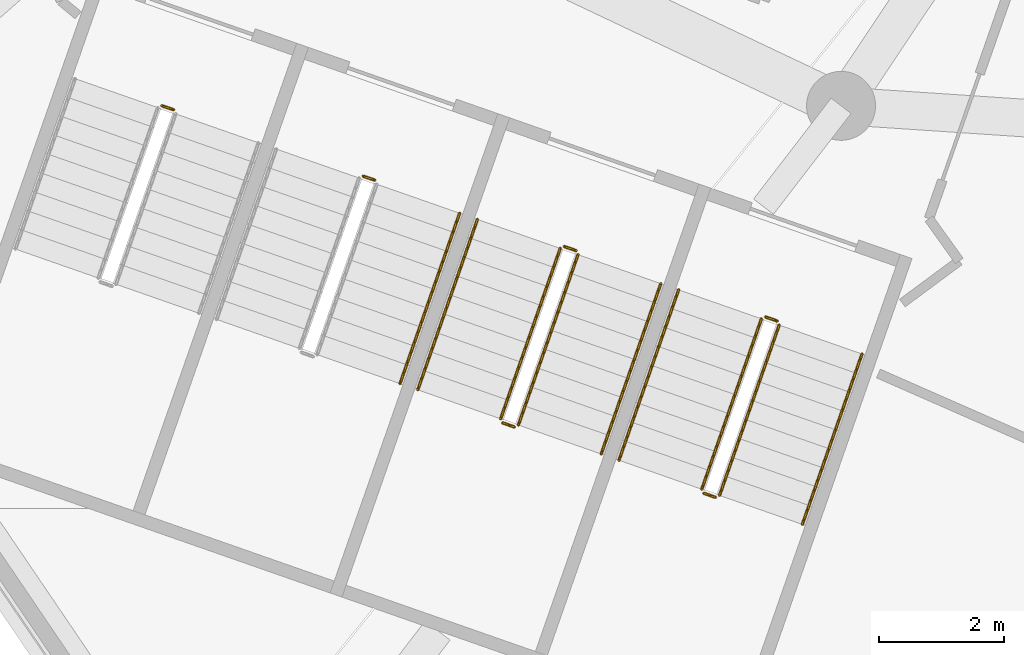
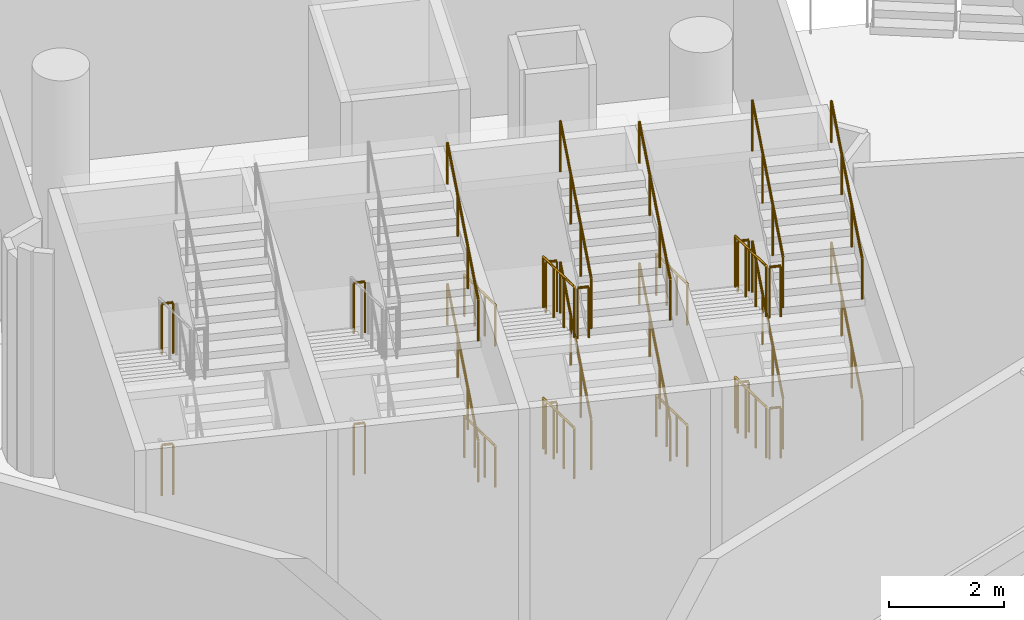
# One storey, part 109 of 173: 29 railings.
"""IFC4 building model written with IfcOpenShell, lengths in metres."""

from ifc_helpers import new_model, si_unit, direction, frame, origin, origin_2d, place, context, subcontext, project, spatial, circle, extrude, material, type_object, element, save


model = new_model("IFC4")

# Units and contexts
model_context = context("Model", 3, precision=1e-05, world=origin(), true_north=direction((0.0, 1.0)))
body_context = subcontext(model_context, "Body", "Model", "MODEL_VIEW")
ifc_project = project(units=[si_unit("LENGTHUNIT", "METRE"), si_unit("AREAUNIT", "SQUARE_METRE"), si_unit("VOLUMEUNIT", "CUBIC_METRE"), si_unit("PLANEANGLEUNIT", "RADIAN"), si_unit("MASSUNIT", "GRAM", prefix="KILO")], contexts=[model_context])

# Site, building, storey
site_placement = place(None, origin())
site = spatial("IfcSite", under=ifc_project, at=site_placement, CompositionType="ELEMENT")
building_placement = place(site_placement, origin())
building = spatial("IfcBuilding", under=site, at=building_placement, Name="Meseta Stadium", CompositionType="ELEMENT")
storey_placement = place(building_placement, frame((0.0, 0.0, 18.0)))
storey = spatial("IfcBuildingStorey", under=building, at=storey_placement, Name="L03", CompositionType="ELEMENT", Elevation=18.0)

# Railings
ifc_material_1 = material(Name="Steel S355", Category="steel")
railing_type_1 = type_object("IfcRailingType", Name="Stair guard 1100", PredefinedType="GUARDRAIL", material=ifc_material_1)
for number, where, name in (
    (1, (-65.35791015625, -89.577392578125, 3.0), "ST85 L03 guard 4"),
    (2, (-65.35791015625, -89.577392578125, 0.0), "ST85 L03 guard 8"),
):
    element("IfcRailing", number, at=place(storey_placement, frame(where)), inside=storey, type_object=railing_type_1, Name=name, PredefinedType="GUARDRAIL", context=body_context, shape_type="SweptSolid", body=[
        extrude(circle(Radius=0.02392578125, at=origin_2d()), frame((0.0, 0.0, 1.076171875), z_axis=(0.943686935281, -0.330839792317, 0.0), x_axis=(0.330839792317, 0.943686935281, 0.0)), (0.0, 0.0, 1.0), 0.199951171875),
        extrude(circle(Radius=0.02099609375, at=origin_2d()), origin(), (0.0, 0.0, 1.0), 1.052001953125),
        extrude(circle(Radius=0.02099609375, at=origin_2d()), frame((0.188720703125, -0.066162109375, 0.0)), (0.0, 0.0, 1.0), 1.052001953125),
    ])
for number, where, name in (
    (3, (-62.148681640625, -90.700439453125, 3.0), "ST86 L03 guard 4"),
    (4, (-62.148681640625, -90.700439453125, 0.0), "ST86 L03 guard 8"),
):
    element("IfcRailing", number, at=place(storey_placement, frame(where)), inside=storey, type_object=railing_type_1, Name=name, PredefinedType="GUARDRAIL", context=body_context, shape_type="SweptSolid", body=[
        extrude(circle(Radius=0.02392578125, at=origin_2d()), frame((0.0, 0.0, 1.076171875), z_axis=(0.944067610699, -0.329751946816, 0.0), x_axis=(0.329751946816, 0.944067610699, 0.0)), (0.0, 0.0, 1.0), 0.199951171875),
        extrude(circle(Radius=0.02099609375, at=origin_2d()), origin(), (0.0, 0.0, 1.0), 1.052001953125),
        extrude(circle(Radius=0.02099609375, at=origin_2d()), frame((0.188720703125, -0.06591796875, 0.0)), (0.0, 0.0, 1.0), 1.052001953125),
    ])
railing_1_placement = place(storey_placement, frame((-59.003173828125, -91.85400390625, 0.14990234375)))
element("IfcRailing", 5, at=railing_1_placement, inside=storey, type_object=railing_type_1, Name="ST87 L03 guard 1", PredefinedType="GUARDRAIL", context=body_context, shape_type="SweptSolid", body=[
    extrude(circle(Radius=0.02392578125, at=origin_2d()), frame((0.0, 0.0, 1.076171875), z_axis=(-0.299031328765, -0.854649344405, 0.42444641891), x_axis=(0.943891390388, -0.330256026668, 0.0)), (0.0, 0.0, 1.0), 3.180908203125),
    extrude(circle(Radius=0.02099609375, at=origin_2d()), origin(), (0.0, 0.0, 1.0), 1.052001953125),
    extrude(circle(Radius=0.02099609375, at=origin_2d()), frame((-0.317138671875, -0.90625, 0.449951171875)), (0.0, 0.0, 1.0), 1.052001953125),
    extrude(circle(Radius=0.02099609375, at=origin_2d()), frame((-0.634033203125, -1.812255859375, 0.900146484375)), (0.0, 0.0, 1.0), 1.052001953125),
    extrude(circle(Radius=0.02099609375, at=origin_2d()), frame((-0.951171875, -2.718505859375, 1.35009765625)), (0.0, 0.0, 1.0), 1.052001953125),
])
railing_2_placement = place(storey_placement, frame((-59.671142578125, -94.67138671875, 1.64990234375)))
element("IfcRailing", 6, at=railing_2_placement, inside=storey, type_object=railing_type_1, Name="ST87 L03 guard 3", PredefinedType="GUARDRAIL", context=body_context, shape_type="SweptSolid", body=[
    extrude(circle(Radius=0.02392578125, at=origin_2d()), frame((0.0, 0.0, 1.076171875), z_axis=(0.299050945451, 0.854628651604, 0.424474262922), x_axis=(-0.943882143717, 0.33028245302, 0.0)), (0.0, 0.0, 1.0), 3.1806640625),
    extrude(circle(Radius=0.02099609375, at=origin_2d()), origin(), (0.0, 0.0, 1.0), 1.052001953125),
    extrude(circle(Radius=0.02099609375, at=origin_2d()), frame((0.317138671875, 0.906005859375, 0.449951171875)), (0.0, 0.0, 1.0), 1.052001953125),
    extrude(circle(Radius=0.02099609375, at=origin_2d()), frame((0.634033203125, 1.812255859375, 0.900146484375)), (0.0, 0.0, 1.0), 1.052001953125),
    extrude(circle(Radius=0.02099609375, at=origin_2d()), frame((0.951171875, 2.71826171875, 1.35009765625)), (0.0, 0.0, 1.0), 1.052001953125),
])
railing_3_placement = place(storey_placement, frame((-58.939453125, -91.8232421875, 3.0)))
element("IfcRailing", 7, at=railing_3_placement, inside=storey, type_object=railing_type_1, Name="ST87 L03 guard 4", PredefinedType="GUARDRAIL", context=body_context, shape_type="SweptSolid", body=[
    extrude(circle(Radius=0.02392578125, at=origin_2d()), frame((0.0, 0.0, 1.076171875), z_axis=(0.943686935281, -0.330839792317, 0.0), x_axis=(0.330839792317, 0.943686935281, 0.0)), (0.0, 0.0, 1.0), 0.199951171875),
    extrude(circle(Radius=0.02099609375, at=origin_2d()), origin(), (0.0, 0.0, 1.0), 1.052001953125),
    extrude(circle(Radius=0.02099609375, at=origin_2d()), frame((0.188720703125, -0.066162109375, 0.0)), (0.0, 0.0, 1.0), 1.052001953125),
])
railing_4_placement = place(storey_placement, frame((-59.003173828125, -91.85400390625, 3.14990234375)))
element("IfcRailing", 8, at=railing_4_placement, inside=storey, type_object=railing_type_1, Name="ST87 L03 guard 5", PredefinedType="GUARDRAIL", context=body_context, shape_type="SweptSolid", body=[
    extrude(circle(Radius=0.02392578125, at=origin_2d()), frame((0.0, 0.0, 1.076171875), z_axis=(-0.299031328765, -0.854649344405, 0.42444641891), x_axis=(0.943891390388, -0.330256026668, 0.0)), (0.0, 0.0, 1.0), 3.180908203125),
    extrude(circle(Radius=0.02099609375, at=origin_2d()), origin(), (0.0, 0.0, 1.0), 1.052001953125),
    extrude(circle(Radius=0.02099609375, at=origin_2d()), frame((-0.317138671875, -0.90625, 0.449951171875)), (0.0, 0.0, 1.0), 1.052001953125),
    extrude(circle(Radius=0.02099609375, at=origin_2d()), frame((-0.634033203125, -1.812255859375, 0.900146484375)), (0.0, 0.0, 1.0), 1.052001953125),
    extrude(circle(Radius=0.02099609375, at=origin_2d()), frame((-0.951171875, -2.718505859375, 1.35009765625)), (0.0, 0.0, 1.0), 1.052001953125),
])
railing_5_placement = place(storey_placement, frame((-59.923828125, -94.63623046875, 4.5)))
element("IfcRailing", 9, at=railing_5_placement, inside=storey, type_object=railing_type_1, Name="ST87 L03 guard 6", PredefinedType="GUARDRAIL", context=body_context, shape_type="SweptSolid", body=[
    extrude(circle(Radius=0.02392578125, at=origin_2d()), frame((0.0, 0.0, 1.076171875), z_axis=(0.944200181446, -0.329372156318, 0.0), x_axis=(0.329372156318, 0.944200181446, 0.0)), (0.0, 0.0, 1.0), 0.2001953125),
    extrude(circle(Radius=0.02099609375, at=origin_2d()), origin(), (0.0, 0.0, 1.0), 1.052001953125),
    extrude(circle(Radius=0.02099609375, at=origin_2d()), frame((0.18896484375, -0.06591796875, 0.0)), (0.0, 0.0, 1.0), 1.052001953125),
])
railing_6_placement = place(storey_placement, frame((-59.671142578125, -94.67138671875, 4.64990234375)))
element("IfcRailing", 10, at=railing_6_placement, inside=storey, type_object=railing_type_1, Name="ST87 L03 guard 7", PredefinedType="GUARDRAIL", context=body_context, shape_type="SweptSolid", body=[
    extrude(circle(Radius=0.02392578125, at=origin_2d()), frame((0.0, 0.0, 1.076171875), z_axis=(0.299050945451, 0.854628651604, 0.424474262922), x_axis=(-0.943882143717, 0.33028245302, 0.0)), (0.0, 0.0, 1.0), 3.1806640625),
    extrude(circle(Radius=0.02099609375, at=origin_2d()), origin(), (0.0, 0.0, 1.0), 1.052001953125),
    extrude(circle(Radius=0.02099609375, at=origin_2d()), frame((0.317138671875, 0.906005859375, 0.449951171875)), (0.0, 0.0, 1.0), 1.052001953125),
    extrude(circle(Radius=0.02099609375, at=origin_2d()), frame((0.634033203125, 1.812255859375, 0.900146484375)), (0.0, 0.0, 1.0), 1.052001953125),
    extrude(circle(Radius=0.02099609375, at=origin_2d()), frame((0.951171875, 2.71826171875, 1.35009765625)), (0.0, 0.0, 1.0), 1.052001953125),
])
railing_7_placement = place(storey_placement, frame((-58.939453125, -91.8232421875, 0.0)))
element("IfcRailing", 11, at=railing_7_placement, inside=storey, type_object=railing_type_1, Name="ST87 L03 guard 8", PredefinedType="GUARDRAIL", context=body_context, shape_type="SweptSolid", body=[
    extrude(circle(Radius=0.02392578125, at=origin_2d()), frame((0.0, 0.0, 1.076171875), z_axis=(0.943686935281, -0.330839792317, 0.0), x_axis=(0.330839792317, 0.943686935281, 0.0)), (0.0, 0.0, 1.0), 0.199951171875),
    extrude(circle(Radius=0.02099609375, at=origin_2d()), origin(), (0.0, 0.0, 1.0), 1.052001953125),
    extrude(circle(Radius=0.02099609375, at=origin_2d()), frame((0.188720703125, -0.066162109375, 0.0)), (0.0, 0.0, 1.0), 1.052001953125),
])
railing_8_placement = place(storey_placement, frame((-55.7939453125, -92.97705078125, 0.14990234375)))
element("IfcRailing", 12, at=railing_8_placement, inside=storey, type_object=railing_type_1, Name="ST88 L03 guard 1", PredefinedType="GUARDRAIL", context=body_context, shape_type="SweptSolid", body=[
    extrude(circle(Radius=0.02392578125, at=origin_2d()), frame((0.0, 0.0, 1.076171875), z_axis=(-0.299050945451, -0.854628651604, 0.424474262922), x_axis=(0.943882143717, -0.33028245302, 0.0)), (0.0, 0.0, 1.0), 3.1806640625),
    extrude(circle(Radius=0.02099609375, at=origin_2d()), origin(), (0.0, 0.0, 1.0), 1.052001953125),
    extrude(circle(Radius=0.02099609375, at=origin_2d()), frame((-0.317138671875, -0.906005859375, 0.449951171875)), (0.0, 0.0, 1.0), 1.052001953125),
    extrude(circle(Radius=0.02099609375, at=origin_2d()), frame((-0.634033203125, -1.812255859375, 0.900146484375)), (0.0, 0.0, 1.0), 1.052001953125),
    extrude(circle(Radius=0.02099609375, at=origin_2d()), frame((-0.951171875, -2.71826171875, 1.35009765625)), (0.0, 0.0, 1.0), 1.052001953125),
])
railing_9_placement = place(storey_placement, frame((-56.714599609375, -95.759033203125, 1.5)))
element("IfcRailing", 13, at=railing_9_placement, inside=storey, type_object=railing_type_1, Name="ST88 L03 guard 2", PredefinedType="GUARDRAIL", context=body_context, shape_type="SweptSolid", body=[
    extrude(circle(Radius=0.02392578125, at=origin_2d()), frame((0.0, 0.0, 1.076171875), z_axis=(0.943820328543, -0.330459055601, 0.0), x_axis=(0.330459055601, 0.943820328543, 0.0)), (0.0, 0.0, 1.0), 0.2001953125),
    extrude(circle(Radius=0.02099609375, at=origin_2d()), origin(), (0.0, 0.0, 1.0), 1.052001953125),
    extrude(circle(Radius=0.02099609375, at=origin_2d()), frame((0.18896484375, -0.066162109375, 0.0)), (0.0, 0.0, 1.0), 1.052001953125),
])
railing_10_placement = place(storey_placement, frame((-56.462158203125, -95.79443359375, 1.64990234375)))
element("IfcRailing", 14, at=railing_10_placement, inside=storey, type_object=railing_type_1, Name="ST88 L03 guard 3", PredefinedType="GUARDRAIL", context=body_context, shape_type="SweptSolid", body=[
    extrude(circle(Radius=0.02392578125, at=origin_2d()), frame((0.0, 0.0, 1.076171875), z_axis=(0.299120836879, 0.854609032027, 0.424464518332), x_axis=(-0.943855713099, 0.330357976823, 0.0)), (0.0, 0.0, 1.0), 3.1806640625),
    extrude(circle(Radius=0.02099609375, at=origin_2d()), origin(), (0.0, 0.0, 1.0), 1.052001953125),
    extrude(circle(Radius=0.02099609375, at=origin_2d()), frame((0.317138671875, 0.906005859375, 0.449951171875)), (0.0, 0.0, 1.0), 1.052001953125),
    extrude(circle(Radius=0.02099609375, at=origin_2d()), frame((0.63427734375, 1.812255859375, 0.900146484375)), (0.0, 0.0, 1.0), 1.052001953125),
    extrude(circle(Radius=0.02099609375, at=origin_2d()), frame((0.951416015625, 2.71826171875, 1.35009765625)), (0.0, 0.0, 1.0), 1.052001953125),
])
railing_11_placement = place(storey_placement, frame((-55.730224609375, -92.9462890625, 3.0)))
element("IfcRailing", 15, at=railing_11_placement, inside=storey, type_object=railing_type_1, Name="ST88 L03 guard 4", PredefinedType="GUARDRAIL", context=body_context, shape_type="SweptSolid", body=[
    extrude(circle(Radius=0.02392578125, at=origin_2d()), frame((0.0, 0.0, 1.076171875), z_axis=(0.943686935281, -0.330839792317, 0.0), x_axis=(0.330839792317, 0.943686935281, 0.0)), (0.0, 0.0, 1.0), 0.199951171875),
    extrude(circle(Radius=0.02099609375, at=origin_2d()), origin(), (0.0, 0.0, 1.0), 1.052001953125),
    extrude(circle(Radius=0.02099609375, at=origin_2d()), frame((0.188720703125, -0.066162109375, 0.0)), (0.0, 0.0, 1.0), 1.052001953125),
])
railing_12_placement = place(storey_placement, frame((-55.7939453125, -92.97705078125, 3.14990234375)))
element("IfcRailing", 16, at=railing_12_placement, inside=storey, type_object=railing_type_1, Name="ST88 L03 guard 5", PredefinedType="GUARDRAIL", context=body_context, shape_type="SweptSolid", body=[
    extrude(circle(Radius=0.02392578125, at=origin_2d()), frame((0.0, 0.0, 1.076171875), z_axis=(-0.299050945451, -0.854628651604, 0.424474262922), x_axis=(0.943882143717, -0.33028245302, 0.0)), (0.0, 0.0, 1.0), 3.1806640625),
    extrude(circle(Radius=0.02099609375, at=origin_2d()), origin(), (0.0, 0.0, 1.0), 1.052001953125),
    extrude(circle(Radius=0.02099609375, at=origin_2d()), frame((-0.317138671875, -0.906005859375, 0.449951171875)), (0.0, 0.0, 1.0), 1.052001953125),
    extrude(circle(Radius=0.02099609375, at=origin_2d()), frame((-0.634033203125, -1.812255859375, 0.900146484375)), (0.0, 0.0, 1.0), 1.052001953125),
    extrude(circle(Radius=0.02099609375, at=origin_2d()), frame((-0.951171875, -2.71826171875, 1.35009765625)), (0.0, 0.0, 1.0), 1.052001953125),
])
railing_13_placement = place(storey_placement, frame((-56.714599609375, -95.759033203125, 4.5)))
element("IfcRailing", 17, at=railing_13_placement, inside=storey, type_object=railing_type_1, Name="ST88 L03 guard 6", PredefinedType="GUARDRAIL", context=body_context, shape_type="SweptSolid", body=[
    extrude(circle(Radius=0.02392578125, at=origin_2d()), frame((0.0, 0.0, 1.076171875), z_axis=(0.943820328543, -0.330459055601, 0.0), x_axis=(0.330459055601, 0.943820328543, 0.0)), (0.0, 0.0, 1.0), 0.2001953125),
    extrude(circle(Radius=0.02099609375, at=origin_2d()), origin(), (0.0, 0.0, 1.0), 1.052001953125),
    extrude(circle(Radius=0.02099609375, at=origin_2d()), frame((0.18896484375, -0.066162109375, 0.0)), (0.0, 0.0, 1.0), 1.052001953125),
])
railing_14_placement = place(storey_placement, frame((-56.462158203125, -95.79443359375, 4.64990234375)))
element("IfcRailing", 18, at=railing_14_placement, inside=storey, type_object=railing_type_1, Name="ST88 L03 guard 7", PredefinedType="GUARDRAIL", context=body_context, shape_type="SweptSolid", body=[
    extrude(circle(Radius=0.02392578125, at=origin_2d()), frame((0.0, 0.0, 1.076171875), z_axis=(0.299120836879, 0.854609032027, 0.424464518332), x_axis=(-0.943855713099, 0.330357976823, 0.0)), (0.0, 0.0, 1.0), 3.1806640625),
    extrude(circle(Radius=0.02099609375, at=origin_2d()), origin(), (0.0, 0.0, 1.0), 1.052001953125),
    extrude(circle(Radius=0.02099609375, at=origin_2d()), frame((0.317138671875, 0.906005859375, 0.449951171875)), (0.0, 0.0, 1.0), 1.052001953125),
    extrude(circle(Radius=0.02099609375, at=origin_2d()), frame((0.63427734375, 1.812255859375, 0.900146484375)), (0.0, 0.0, 1.0), 1.052001953125),
    extrude(circle(Radius=0.02099609375, at=origin_2d()), frame((0.951416015625, 2.71826171875, 1.35009765625)), (0.0, 0.0, 1.0), 1.052001953125),
])
railing_15_placement = place(storey_placement, frame((-55.730224609375, -92.9462890625, 0.0)))
element("IfcRailing", 19, at=railing_15_placement, inside=storey, type_object=railing_type_1, Name="ST88 L03 guard 8", PredefinedType="GUARDRAIL", context=body_context, shape_type="SweptSolid", body=[
    extrude(circle(Radius=0.02392578125, at=origin_2d()), frame((0.0, 0.0, 1.076171875), z_axis=(0.943686935281, -0.330839792317, 0.0), x_axis=(0.330839792317, 0.943686935281, 0.0)), (0.0, 0.0, 1.0), 0.199951171875),
    extrude(circle(Radius=0.02099609375, at=origin_2d()), origin(), (0.0, 0.0, 1.0), 1.052001953125),
    extrude(circle(Radius=0.02099609375, at=origin_2d()), frame((0.188720703125, -0.066162109375, 0.0)), (0.0, 0.0, 1.0), 1.052001953125),
])
ifc_material_2 = material(Name="Steel S355", Category="steel")
railing_type_2 = type_object("IfcRailingType", Name="Stair handrail 900", PredefinedType="HANDRAIL", material=ifc_material_2)
for number, where, name in (
    (20, (-61.55908203125, -94.010986328125, 1.64990234375), "ST86 L03 handrail 2"),
    (21, (-61.55908203125, -94.010986328125, 4.64990234375), "ST86 L03 handrail 4"),
):
    element("IfcRailing", number, at=place(storey_placement, frame(where)), inside=storey, type_object=railing_type_2, Name=name, PredefinedType="HANDRAIL", context=body_context, shape_type="SweptSolid", body=[
        extrude(circle(Radius=0.02392578125, at=origin_2d()), frame((0.0, 0.0, 0.8759765625), z_axis=(0.299031328765, 0.854649344405, 0.42444641891), x_axis=(-0.943891390388, 0.330256026668, 0.0)), (0.0, 0.0, 1.0), 3.180908203125),
        extrude(circle(Radius=0.02099609375, at=origin_2d()), origin(), (0.0, 0.0, 1.0), 0.851806640625),
        extrude(circle(Radius=0.02099609375, at=origin_2d()), frame((0.317138671875, 0.90625, 0.449951171875)), (0.0, 0.0, 1.0), 0.851806640625),
        extrude(circle(Radius=0.02099609375, at=origin_2d()), frame((0.634033203125, 1.812255859375, 0.900146484375)), (0.0, 0.0, 1.0), 0.851806640625),
        extrude(circle(Radius=0.02099609375, at=origin_2d()), frame((0.951171875, 2.718505859375, 1.35009765625)), (0.0, 0.0, 1.0), 0.851806640625),
    ])
railing_16_placement = place(storey_placement, frame((-60.32470703125, -91.3916015625, 0.14990234375)))
element("IfcRailing", 22, at=railing_16_placement, inside=storey, type_object=railing_type_2, Name="ST87 L03 handrail 1", PredefinedType="HANDRAIL", context=body_context, shape_type="SweptSolid", body=[
    extrude(circle(Radius=0.02392578125, at=origin_2d()), frame((0.0, 0.0, 0.8759765625), z_axis=(-0.299031328765, -0.854649344405, 0.42444641891), x_axis=(0.943891390388, -0.330256026668, 0.0)), (0.0, 0.0, 1.0), 3.180908203125),
    extrude(circle(Radius=0.02099609375, at=origin_2d()), origin(), (0.0, 0.0, 1.0), 0.851806640625),
    extrude(circle(Radius=0.02099609375, at=origin_2d()), frame((-0.317138671875, -0.90625, 0.449951171875)), (0.0, 0.0, 1.0), 0.851806640625),
    extrude(circle(Radius=0.02099609375, at=origin_2d()), frame((-0.634033203125, -1.812255859375, 0.900146484375)), (0.0, 0.0, 1.0), 0.851806640625),
    extrude(circle(Radius=0.02099609375, at=origin_2d()), frame((-0.951171875, -2.718505859375, 1.35009765625)), (0.0, 0.0, 1.0), 0.851806640625),
])
railing_17_placement = place(storey_placement, frame((-58.349853515625, -95.1337890625, 1.64990234375)))
element("IfcRailing", 23, at=railing_17_placement, inside=storey, type_object=railing_type_2, Name="ST87 L03 handrail 2", PredefinedType="HANDRAIL", context=body_context, shape_type="SweptSolid", body=[
    extrude(circle(Radius=0.02392578125, at=origin_2d()), frame((0.0, 0.0, 0.8759765625), z_axis=(0.299050945451, 0.854628651604, 0.424474262922), x_axis=(-0.943882143717, 0.33028245302, 0.0)), (0.0, 0.0, 1.0), 3.1806640625),
    extrude(circle(Radius=0.02099609375, at=origin_2d()), origin(), (0.0, 0.0, 1.0), 0.851806640625),
    extrude(circle(Radius=0.02099609375, at=origin_2d()), frame((0.317138671875, 0.906005859375, 0.449951171875)), (0.0, 0.0, 1.0), 0.851806640625),
    extrude(circle(Radius=0.02099609375, at=origin_2d()), frame((0.634033203125, 1.812255859375, 0.900146484375)), (0.0, 0.0, 1.0), 0.851806640625),
    extrude(circle(Radius=0.02099609375, at=origin_2d()), frame((0.951171875, 2.71826171875, 1.35009765625)), (0.0, 0.0, 1.0), 0.851806640625),
])
railing_18_placement = place(storey_placement, frame((-60.32470703125, -91.3916015625, 3.14990234375)))
element("IfcRailing", 24, at=railing_18_placement, inside=storey, type_object=railing_type_2, Name="ST87 L03 handrail 3", PredefinedType="HANDRAIL", context=body_context, shape_type="SweptSolid", body=[
    extrude(circle(Radius=0.02392578125, at=origin_2d()), frame((0.0, 0.0, 0.8759765625), z_axis=(-0.299031328765, -0.854649344405, 0.42444641891), x_axis=(0.943891390388, -0.330256026668, 0.0)), (0.0, 0.0, 1.0), 3.180908203125),
    extrude(circle(Radius=0.02099609375, at=origin_2d()), origin(), (0.0, 0.0, 1.0), 0.851806640625),
    extrude(circle(Radius=0.02099609375, at=origin_2d()), frame((-0.317138671875, -0.90625, 0.449951171875)), (0.0, 0.0, 1.0), 0.851806640625),
    extrude(circle(Radius=0.02099609375, at=origin_2d()), frame((-0.634033203125, -1.812255859375, 0.900146484375)), (0.0, 0.0, 1.0), 0.851806640625),
    extrude(circle(Radius=0.02099609375, at=origin_2d()), frame((-0.951171875, -2.718505859375, 1.35009765625)), (0.0, 0.0, 1.0), 0.851806640625),
])
railing_19_placement = place(storey_placement, frame((-58.349853515625, -95.1337890625, 4.64990234375)))
element("IfcRailing", 25, at=railing_19_placement, inside=storey, type_object=railing_type_2, Name="ST87 L03 handrail 4", PredefinedType="HANDRAIL", context=body_context, shape_type="SweptSolid", body=[
    extrude(circle(Radius=0.02392578125, at=origin_2d()), frame((0.0, 0.0, 0.8759765625), z_axis=(0.299050945451, 0.854628651604, 0.424474262922), x_axis=(-0.943882143717, 0.33028245302, 0.0)), (0.0, 0.0, 1.0), 3.1806640625),
    extrude(circle(Radius=0.02099609375, at=origin_2d()), origin(), (0.0, 0.0, 1.0), 0.851806640625),
    extrude(circle(Radius=0.02099609375, at=origin_2d()), frame((0.317138671875, 0.906005859375, 0.449951171875)), (0.0, 0.0, 1.0), 0.851806640625),
    extrude(circle(Radius=0.02099609375, at=origin_2d()), frame((0.634033203125, 1.812255859375, 0.900146484375)), (0.0, 0.0, 1.0), 0.851806640625),
    extrude(circle(Radius=0.02099609375, at=origin_2d()), frame((0.951171875, 2.71826171875, 1.35009765625)), (0.0, 0.0, 1.0), 0.851806640625),
])
railing_20_placement = place(storey_placement, frame((-57.115478515625, -92.5146484375, 0.14990234375)))
element("IfcRailing", 26, at=railing_20_placement, inside=storey, type_object=railing_type_2, Name="ST88 L03 handrail 1", PredefinedType="HANDRAIL", context=body_context, shape_type="SweptSolid", body=[
    extrude(circle(Radius=0.02392578125, at=origin_2d()), frame((0.0, 0.0, 0.8759765625), z_axis=(-0.299050945451, -0.854628651604, 0.424474262922), x_axis=(0.943882143717, -0.33028245302, 0.0)), (0.0, 0.0, 1.0), 3.1806640625),
    extrude(circle(Radius=0.02099609375, at=origin_2d()), origin(), (0.0, 0.0, 1.0), 0.851806640625),
    extrude(circle(Radius=0.02099609375, at=origin_2d()), frame((-0.317138671875, -0.906005859375, 0.449951171875)), (0.0, 0.0, 1.0), 0.851806640625),
    extrude(circle(Radius=0.02099609375, at=origin_2d()), frame((-0.634033203125, -1.812255859375, 0.900146484375)), (0.0, 0.0, 1.0), 0.851806640625),
    extrude(circle(Radius=0.02099609375, at=origin_2d()), frame((-0.951171875, -2.71826171875, 1.35009765625)), (0.0, 0.0, 1.0), 0.851806640625),
])
railing_21_placement = place(storey_placement, frame((-55.140625, -96.2568359375, 1.64990234375)))
element("IfcRailing", 27, at=railing_21_placement, inside=storey, type_object=railing_type_2, Name="ST88 L03 handrail 2", PredefinedType="HANDRAIL", context=body_context, shape_type="SweptSolid", body=[
    extrude(circle(Radius=0.02392578125, at=origin_2d()), frame((0.0, 0.0, 0.8759765625), z_axis=(0.299031328765, 0.854649344405, 0.42444641891), x_axis=(-0.943891390388, 0.330256026668, 0.0)), (0.0, 0.0, 1.0), 3.180908203125),
    extrude(circle(Radius=0.02099609375, at=origin_2d()), origin(), (0.0, 0.0, 1.0), 0.851806640625),
    extrude(circle(Radius=0.02099609375, at=origin_2d()), frame((0.317138671875, 0.90625, 0.449951171875)), (0.0, 0.0, 1.0), 0.851806640625),
    extrude(circle(Radius=0.02099609375, at=origin_2d()), frame((0.634033203125, 1.812255859375, 0.900146484375)), (0.0, 0.0, 1.0), 0.851806640625),
    extrude(circle(Radius=0.02099609375, at=origin_2d()), frame((0.951171875, 2.718505859375, 1.35009765625)), (0.0, 0.0, 1.0), 0.851806640625),
])
railing_22_placement = place(storey_placement, frame((-57.115478515625, -92.5146484375, 3.14990234375)))
element("IfcRailing", 28, at=railing_22_placement, inside=storey, type_object=railing_type_2, Name="ST88 L03 handrail 3", PredefinedType="HANDRAIL", context=body_context, shape_type="SweptSolid", body=[
    extrude(circle(Radius=0.02392578125, at=origin_2d()), frame((0.0, 0.0, 0.8759765625), z_axis=(-0.299050945451, -0.854628651604, 0.424474262922), x_axis=(0.943882143717, -0.33028245302, 0.0)), (0.0, 0.0, 1.0), 3.1806640625),
    extrude(circle(Radius=0.02099609375, at=origin_2d()), origin(), (0.0, 0.0, 1.0), 0.851806640625),
    extrude(circle(Radius=0.02099609375, at=origin_2d()), frame((-0.317138671875, -0.906005859375, 0.449951171875)), (0.0, 0.0, 1.0), 0.851806640625),
    extrude(circle(Radius=0.02099609375, at=origin_2d()), frame((-0.634033203125, -1.812255859375, 0.900146484375)), (0.0, 0.0, 1.0), 0.851806640625),
    extrude(circle(Radius=0.02099609375, at=origin_2d()), frame((-0.951171875, -2.71826171875, 1.35009765625)), (0.0, 0.0, 1.0), 0.851806640625),
])
railing_23_placement = place(storey_placement, frame((-55.140625, -96.2568359375, 4.64990234375)))
element("IfcRailing", 29, at=railing_23_placement, inside=storey, type_object=railing_type_2, Name="ST88 L03 handrail 4", PredefinedType="HANDRAIL", context=body_context, shape_type="SweptSolid", body=[
    extrude(circle(Radius=0.02392578125, at=origin_2d()), frame((0.0, 0.0, 0.8759765625), z_axis=(0.299031328765, 0.854649344405, 0.42444641891), x_axis=(-0.943891390388, 0.330256026668, 0.0)), (0.0, 0.0, 1.0), 3.180908203125),
    extrude(circle(Radius=0.02099609375, at=origin_2d()), origin(), (0.0, 0.0, 1.0), 0.851806640625),
    extrude(circle(Radius=0.02099609375, at=origin_2d()), frame((0.317138671875, 0.90625, 0.449951171875)), (0.0, 0.0, 1.0), 0.851806640625),
    extrude(circle(Radius=0.02099609375, at=origin_2d()), frame((0.634033203125, 1.812255859375, 0.900146484375)), (0.0, 0.0, 1.0), 0.851806640625),
    extrude(circle(Radius=0.02099609375, at=origin_2d()), frame((0.951171875, 2.718505859375, 1.35009765625)), (0.0, 0.0, 1.0), 0.851806640625),
])

save(model, "model.ifc")
